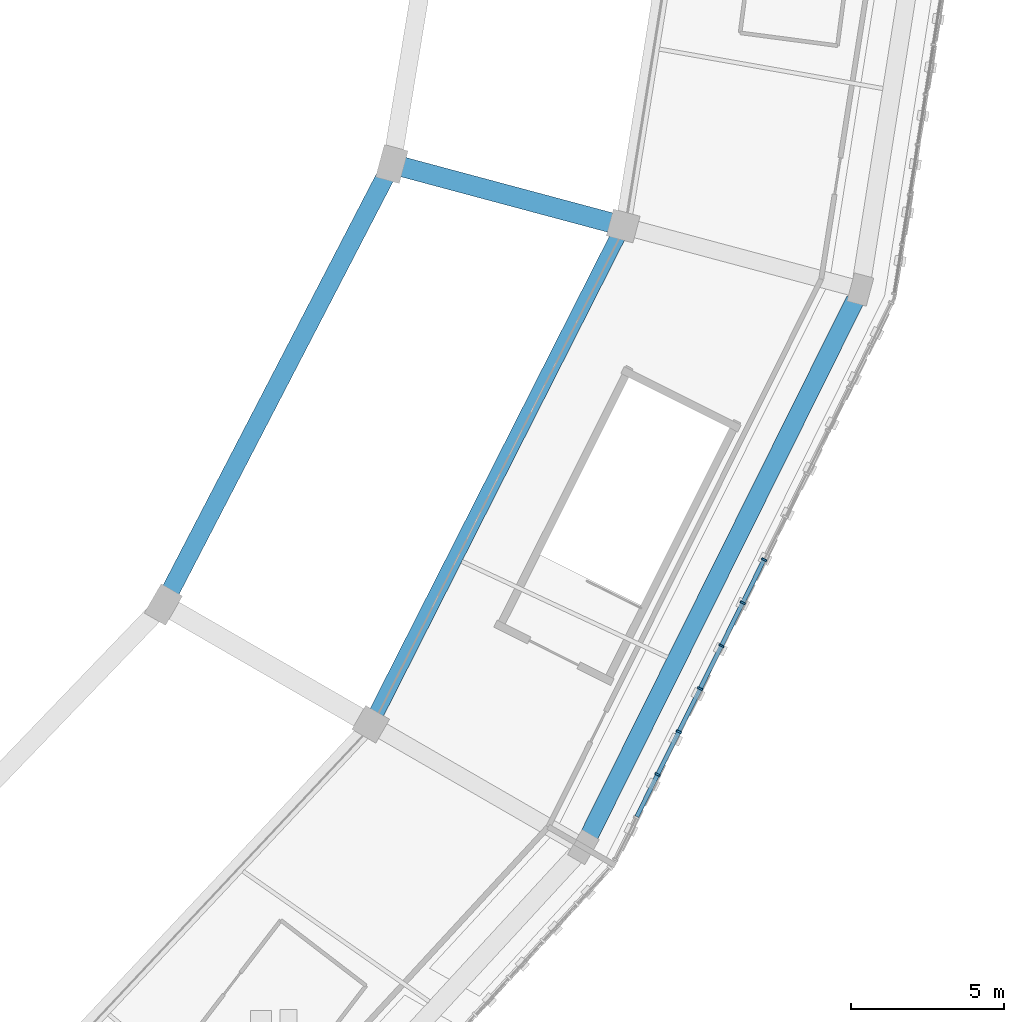
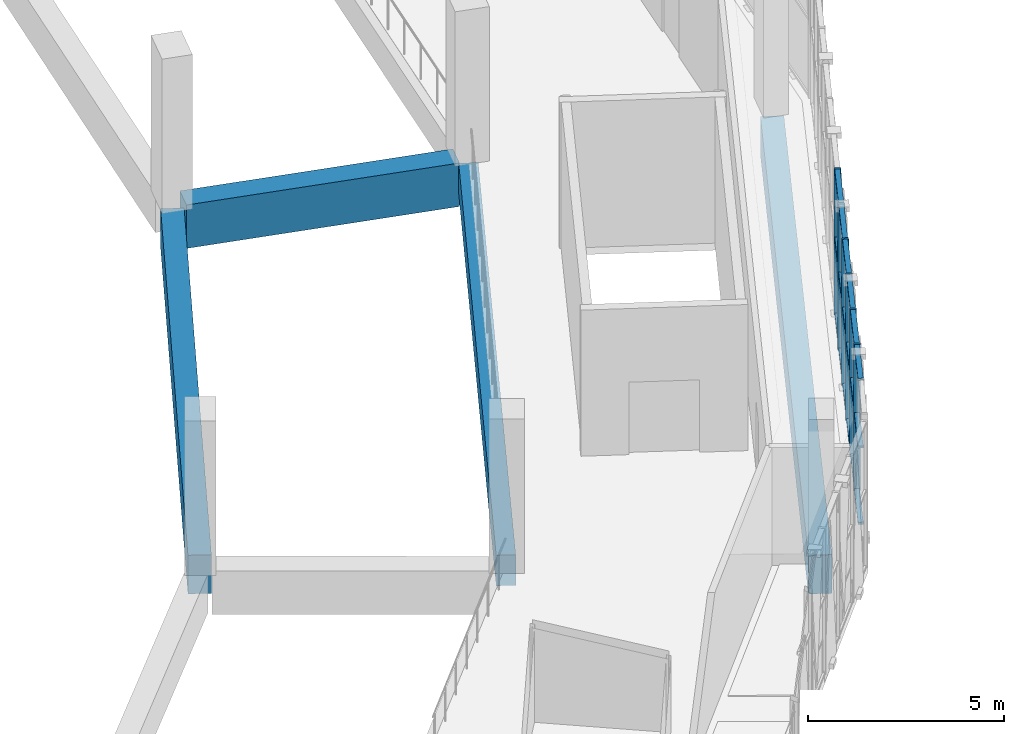
# One storey, part 26 of 108: 24 members, 4 beams, 1 element without a shape of its own.
"""IFC4 building model written with IfcOpenShell, lengths in metres."""

from ifc_helpers import new_model, si_unit, direction, frame, origin, origin_2d, place, context, subcontext, project, spatial, rectangle, extrude, material, material_profile, profile_set, type_object, element, aggregate, save


model = new_model("IFC4")

# Units and contexts
model_context = context("Model", 3, precision=1e-05, world=origin(), true_north=direction((0.0, 1.0)))
body_context = subcontext(model_context, "Body", "Model", "MODEL_VIEW")
ifc_project = project(units=[si_unit("LENGTHUNIT", "METRE"), si_unit("AREAUNIT", "SQUARE_METRE"), si_unit("VOLUMEUNIT", "CUBIC_METRE"), si_unit("PLANEANGLEUNIT", "RADIAN"), si_unit("MASSUNIT", "GRAM", prefix="KILO")], contexts=[model_context])

# Site, building, storey
site_placement = place(None, origin())
site = spatial("IfcSite", under=ifc_project, at=site_placement, CompositionType="ELEMENT")
building_placement = place(site_placement, origin())
building = spatial("IfcBuilding", under=site, at=building_placement, Name="Zevraka Park Crest Stadium", CompositionType="ELEMENT")
storey_placement = place(building_placement, frame((0.0, 0.0, 19.800048828125)))
storey = spatial("IfcBuildingStorey", under=building, at=storey_placement, Name="L04", CompositionType="ELEMENT", Elevation=19.800048828125)

# Beam
ifc_material_1 = material(Name="Concrete C40/50", Category="concrete")
ifc_material_profile_1 = material_profile(ifc_material_1, rectangle(XDim=0.64990234375, YDim=1.35009765625, at=origin_2d()), Name="RC 1350x650")
ifc_profile_set_1 = profile_set([ifc_material_profile_1], Name="Concrete C40/50")
beam_type_1 = type_object("IfcBeamType", Name="BG01", PredefinedType="BEAM", material=ifc_profile_set_1)
beam_1_placement = place(storey_placement, frame((184.2509765625, 76.52197265625, -0.68505859375), z_axis=(0.965945630245, -0.258745124417, 0.0), x_axis=(0.258745124417, 0.965945630245, 0.0)))
element("IfcBeam", 1, at=beam_1_placement, inside=storey, type_object=beam_type_1, Name="Radial Girder BG01 L04-BC-23", PredefinedType="BEAM", context=body_context, shape_type="SweptSolid", body=[
    extrude(rectangle(XDim=0.64990234375, YDim=1.35009765625, at=origin_2d()), origin(), (0.0, 0.0, 1.0), 7.2001953125),
])

# Curtain wall, members
ifc_material_2 = material(Name="Anodised architectural aluminium and laminated safety glass", Category="aluminium")
curtain_wall_type = type_object("IfcCurtainWallType", Name="CW17", PredefinedType="NOTDEFINED", material=ifc_material_2)
curtain_wall_placement = place(storey_placement, origin())
curtain_wall = element("IfcCurtainWall", 2, at=curtain_wall_placement, inside=storey, type_object=curtain_wall_type, Name="Unitised Ring Curtain Wall CW17 L04-22", PredefinedType="NOTDEFINED")
ifc_material_3 = material(Name="Anodised architectural aluminium", Category="aluminium")
ifc_material_profile_2 = material_profile(ifc_material_3, rectangle(XDim=0.179931640625, YDim=0.06494140625, at=origin_2d()), Name="ALU MULLION 180x65")
ifc_profile_set_2 = profile_set([ifc_material_profile_2], Name="Anodised architectural aluminium")
member_type_1 = type_object("IfcMemberType", Name="CM02", PredefinedType="MULLION", material=ifc_profile_set_2)
member_1_placement = place(storey_placement, frame((192.6181640625, 56.7109375, 0.0), z_axis=(0.0, 0.0, 1.0), x_axis=(-0.896046076106, 0.443961067545, 0.0)))
member_1 = element("IfcMember", 3, at=member_1_placement, type_object=member_type_1, Name="CW17 mullion 3", PredefinedType="MULLION", context=body_context, shape_type="SweptSolid", body=[
    extrude(rectangle(XDim=0.179931640625, YDim=0.06494140625, at=origin_2d()), origin(), (0.0, 0.0, 1.0), 4.5400390625),
])
member_2_placement = place(storey_placement, frame((193.311767578125, 58.11083984375, 0.0), z_axis=(0.0, 0.0, 1.0), x_axis=(-0.896046076106, 0.443961067545, 0.0)))
member_2 = element("IfcMember", 4, at=member_2_placement, type_object=member_type_1, Name="CW17 mullion 4", PredefinedType="MULLION", context=body_context, shape_type="SweptSolid", body=[
    extrude(rectangle(XDim=0.179931640625, YDim=0.06494140625, at=origin_2d()), origin(), (0.0, 0.0, 1.0), 4.5400390625),
])
member_3_placement = place(storey_placement, frame((194.00537109375, 59.5107421875, 0.0), z_axis=(0.0, 0.0, 1.0), x_axis=(-0.896046076106, 0.443961067545, 0.0)))
member_3 = element("IfcMember", 5, at=member_3_placement, type_object=member_type_1, Name="CW17 mullion 5", PredefinedType="MULLION", context=body_context, shape_type="SweptSolid", body=[
    extrude(rectangle(XDim=0.179931640625, YDim=0.06494140625, at=origin_2d()), origin(), (0.0, 0.0, 1.0), 4.5400390625),
])
member_4_placement = place(storey_placement, frame((194.698974609375, 60.91064453125, 0.0), z_axis=(0.0, 0.0, 1.0), x_axis=(-0.896046076106, 0.443961067545, 0.0)))
member_4 = element("IfcMember", 6, at=member_4_placement, type_object=member_type_1, Name="CW17 mullion 6", PredefinedType="MULLION", context=body_context, shape_type="SweptSolid", body=[
    extrude(rectangle(XDim=0.179931640625, YDim=0.06494140625, at=origin_2d()), origin(), (0.0, 0.0, 1.0), 4.5400390625),
])
member_5_placement = place(storey_placement, frame((195.392578125, 62.310546875, 0.0), z_axis=(0.0, 0.0, 1.0), x_axis=(-0.896046076106, 0.443961067545, 0.0)))
member_5 = element("IfcMember", 7, at=member_5_placement, type_object=member_type_1, Name="CW17 mullion 7", PredefinedType="MULLION", context=body_context, shape_type="SweptSolid", body=[
    extrude(rectangle(XDim=0.179931640625, YDim=0.06494140625, at=origin_2d()), origin(), (0.0, 0.0, 1.0), 4.5400390625),
])
member_6_placement = place(storey_placement, frame((196.08642578125, 63.71044921875, 0.0), z_axis=(0.0, 0.0, 1.0), x_axis=(-0.896046076106, 0.443961067545, 0.0)))
member_6 = element("IfcMember", 8, at=member_6_placement, type_object=member_type_1, Name="CW17 mullion 8", PredefinedType="MULLION", context=body_context, shape_type="SweptSolid", body=[
    extrude(rectangle(XDim=0.179931640625, YDim=0.06494140625, at=origin_2d()), origin(), (0.0, 0.0, 1.0), 4.5400390625),
])
ifc_material_4 = material(Name="Anodised architectural aluminium", Category="aluminium")
ifc_material_profile_3 = material_profile(ifc_material_4, rectangle(XDim=0.139892578125, YDim=0.06494140625, at=origin_2d()), Name="ALU TRANSOM 140x65")
ifc_profile_set_3 = profile_set([ifc_material_profile_3], Name="Anodised architectural aluminium")
member_type_2 = type_object("IfcMemberType", Name="CT02", PredefinedType="USERDEFINED", material=ifc_profile_set_3)
member_7_placement = place(storey_placement, frame((191.93896484375, 55.340087890625, 0.032470703125), z_axis=(0.444014747446, 0.896019477495, 0.0), x_axis=(-0.896019477495, 0.444014747446, 0.0)))
member_7 = element("IfcMember", 9, at=member_7_placement, type_object=member_type_2, Name="CW17 transom 2.1", ObjectType="TRANSOM", PredefinedType="USERDEFINED", context=body_context, shape_type="SweptSolid", body=[
    extrude(rectangle(XDim=0.139892578125, YDim=0.06494140625, at=origin_2d()), origin(), (0.0, 0.0, 1.0), 1.497314453125),
])
member_8_placement = place(storey_placement, frame((191.93896484375, 55.340087890625, 2.39990234375), z_axis=(0.444014747446, 0.896019477495, 0.0), x_axis=(-0.896019477495, 0.444014747446, 0.0)))
member_8 = element("IfcMember", 10, at=member_8_placement, type_object=member_type_2, Name="CW17 transom 2.2", ObjectType="TRANSOM", PredefinedType="USERDEFINED", context=body_context, shape_type="SweptSolid", body=[
    extrude(rectangle(XDim=0.139892578125, YDim=0.06494140625, at=origin_2d()), origin(), (0.0, 0.0, 1.0), 1.497314453125),
])
member_9_placement = place(storey_placement, frame((191.93896484375, 55.340087890625, 4.507568359375), z_axis=(0.444014747446, 0.896019477495, 0.0), x_axis=(-0.896019477495, 0.444014747446, 0.0)))
member_9 = element("IfcMember", 11, at=member_9_placement, type_object=member_type_2, Name="CW17 transom 2.3", ObjectType="TRANSOM", PredefinedType="USERDEFINED", context=body_context, shape_type="SweptSolid", body=[
    extrude(rectangle(XDim=0.139892578125, YDim=0.06494140625, at=origin_2d()), origin(), (0.0, 0.0, 1.0), 1.497314453125),
])
member_10_placement = place(storey_placement, frame((192.632568359375, 56.739990234375, 0.032470703125), z_axis=(0.444014747446, 0.896019477495, 0.0), x_axis=(-0.896019477495, 0.444014747446, 0.0)))
member_10 = element("IfcMember", 12, at=member_10_placement, type_object=member_type_2, Name="CW17 transom 3.1", ObjectType="TRANSOM", PredefinedType="USERDEFINED", context=body_context, shape_type="SweptSolid", body=[
    extrude(rectangle(XDim=0.139892578125, YDim=0.06494140625, at=origin_2d()), origin(), (0.0, 0.0, 1.0), 1.497314453125),
])
member_11_placement = place(storey_placement, frame((192.632568359375, 56.739990234375, 2.39990234375), z_axis=(0.444014747446, 0.896019477495, 0.0), x_axis=(-0.896019477495, 0.444014747446, 0.0)))
member_11 = element("IfcMember", 13, at=member_11_placement, type_object=member_type_2, Name="CW17 transom 3.2", ObjectType="TRANSOM", PredefinedType="USERDEFINED", context=body_context, shape_type="SweptSolid", body=[
    extrude(rectangle(XDim=0.139892578125, YDim=0.06494140625, at=origin_2d()), origin(), (0.0, 0.0, 1.0), 1.497314453125),
])
member_12_placement = place(storey_placement, frame((192.632568359375, 56.739990234375, 4.507568359375), z_axis=(0.444014747446, 0.896019477495, 0.0), x_axis=(-0.896019477495, 0.444014747446, 0.0)))
member_12 = element("IfcMember", 14, at=member_12_placement, type_object=member_type_2, Name="CW17 transom 3.3", ObjectType="TRANSOM", PredefinedType="USERDEFINED", context=body_context, shape_type="SweptSolid", body=[
    extrude(rectangle(XDim=0.139892578125, YDim=0.06494140625, at=origin_2d()), origin(), (0.0, 0.0, 1.0), 1.497314453125),
])
member_13_placement = place(storey_placement, frame((193.326171875, 58.139892578125, 0.032470703125), z_axis=(0.443949882668, 0.896051617754, 0.0), x_axis=(-0.896051617754, 0.443949882668, 0.0)))
member_13 = element("IfcMember", 15, at=member_13_placement, type_object=member_type_2, Name="CW17 transom 4.1", ObjectType="TRANSOM", PredefinedType="USERDEFINED", context=body_context, shape_type="SweptSolid", body=[
    extrude(rectangle(XDim=0.139892578125, YDim=0.06494140625, at=origin_2d()), origin(), (0.0, 0.0, 1.0), 1.49755859375),
])
member_14_placement = place(storey_placement, frame((193.326171875, 58.139892578125, 2.39990234375), z_axis=(0.443949882668, 0.896051617754, 0.0), x_axis=(-0.896051617754, 0.443949882668, 0.0)))
member_14 = element("IfcMember", 16, at=member_14_placement, type_object=member_type_2, Name="CW17 transom 4.2", ObjectType="TRANSOM", PredefinedType="USERDEFINED", context=body_context, shape_type="SweptSolid", body=[
    extrude(rectangle(XDim=0.139892578125, YDim=0.06494140625, at=origin_2d()), origin(), (0.0, 0.0, 1.0), 1.49755859375),
])
member_15_placement = place(storey_placement, frame((193.326171875, 58.139892578125, 4.507568359375), z_axis=(0.443949882668, 0.896051617754, 0.0), x_axis=(-0.896051617754, 0.443949882668, 0.0)))
member_15 = element("IfcMember", 17, at=member_15_placement, type_object=member_type_2, Name="CW17 transom 4.3", ObjectType="TRANSOM", PredefinedType="USERDEFINED", context=body_context, shape_type="SweptSolid", body=[
    extrude(rectangle(XDim=0.139892578125, YDim=0.06494140625, at=origin_2d()), origin(), (0.0, 0.0, 1.0), 1.49755859375),
])
member_16_placement = place(storey_placement, frame((194.019775390625, 59.539794921875, 0.032470703125), z_axis=(0.443949882668, 0.896051617754, 0.0), x_axis=(-0.896051617754, 0.443949882668, 0.0)))
member_16 = element("IfcMember", 18, at=member_16_placement, type_object=member_type_2, Name="CW17 transom 5.1", ObjectType="TRANSOM", PredefinedType="USERDEFINED", context=body_context, shape_type="SweptSolid", body=[
    extrude(rectangle(XDim=0.139892578125, YDim=0.06494140625, at=origin_2d()), origin(), (0.0, 0.0, 1.0), 1.49755859375),
])
member_17_placement = place(storey_placement, frame((194.019775390625, 59.539794921875, 2.39990234375), z_axis=(0.443949882668, 0.896051617754, 0.0), x_axis=(-0.896051617754, 0.443949882668, 0.0)))
member_17 = element("IfcMember", 19, at=member_17_placement, type_object=member_type_2, Name="CW17 transom 5.2", ObjectType="TRANSOM", PredefinedType="USERDEFINED", context=body_context, shape_type="SweptSolid", body=[
    extrude(rectangle(XDim=0.139892578125, YDim=0.06494140625, at=origin_2d()), origin(), (0.0, 0.0, 1.0), 1.49755859375),
])
member_18_placement = place(storey_placement, frame((194.019775390625, 59.539794921875, 4.507568359375), z_axis=(0.443949882668, 0.896051617754, 0.0), x_axis=(-0.896051617754, 0.443949882668, 0.0)))
member_18 = element("IfcMember", 20, at=member_18_placement, type_object=member_type_2, Name="CW17 transom 5.3", ObjectType="TRANSOM", PredefinedType="USERDEFINED", context=body_context, shape_type="SweptSolid", body=[
    extrude(rectangle(XDim=0.139892578125, YDim=0.06494140625, at=origin_2d()), origin(), (0.0, 0.0, 1.0), 1.49755859375),
])
member_19_placement = place(storey_placement, frame((194.713623046875, 60.939697265625, 0.032470703125), z_axis=(0.443818964624, 0.89611646935, 0.0), x_axis=(-0.89611646935, 0.443818964624, 0.0)))
member_19 = element("IfcMember", 21, at=member_19_placement, type_object=member_type_2, Name="CW17 transom 6.1", ObjectType="TRANSOM", PredefinedType="USERDEFINED", context=body_context, shape_type="SweptSolid", body=[
    extrude(rectangle(XDim=0.139892578125, YDim=0.06494140625, at=origin_2d()), origin(), (0.0, 0.0, 1.0), 1.497314453125),
])
member_20_placement = place(storey_placement, frame((194.713623046875, 60.939697265625, 2.39990234375), z_axis=(0.443818964624, 0.89611646935, 0.0), x_axis=(-0.89611646935, 0.443818964624, 0.0)))
member_20 = element("IfcMember", 22, at=member_20_placement, type_object=member_type_2, Name="CW17 transom 6.2", ObjectType="TRANSOM", PredefinedType="USERDEFINED", context=body_context, shape_type="SweptSolid", body=[
    extrude(rectangle(XDim=0.139892578125, YDim=0.06494140625, at=origin_2d()), origin(), (0.0, 0.0, 1.0), 1.497314453125),
])
member_21_placement = place(storey_placement, frame((194.713623046875, 60.939697265625, 4.507568359375), z_axis=(0.443818964624, 0.89611646935, 0.0), x_axis=(-0.89611646935, 0.443818964624, 0.0)))
member_21 = element("IfcMember", 23, at=member_21_placement, type_object=member_type_2, Name="CW17 transom 6.3", ObjectType="TRANSOM", PredefinedType="USERDEFINED", context=body_context, shape_type="SweptSolid", body=[
    extrude(rectangle(XDim=0.139892578125, YDim=0.06494140625, at=origin_2d()), origin(), (0.0, 0.0, 1.0), 1.497314453125),
])
member_22_placement = place(storey_placement, frame((195.4072265625, 62.339599609375, 0.032470703125), z_axis=(0.443818964624, 0.89611646935, 0.0), x_axis=(-0.89611646935, 0.443818964624, 0.0)))
member_22 = element("IfcMember", 24, at=member_22_placement, type_object=member_type_2, Name="CW17 transom 7.1", ObjectType="TRANSOM", PredefinedType="USERDEFINED", context=body_context, shape_type="SweptSolid", body=[
    extrude(rectangle(XDim=0.139892578125, YDim=0.06494140625, at=origin_2d()), origin(), (0.0, 0.0, 1.0), 1.497314453125),
])
member_23_placement = place(storey_placement, frame((195.4072265625, 62.339599609375, 2.39990234375), z_axis=(0.443818964624, 0.89611646935, 0.0), x_axis=(-0.89611646935, 0.443818964624, 0.0)))
member_23 = element("IfcMember", 25, at=member_23_placement, type_object=member_type_2, Name="CW17 transom 7.2", ObjectType="TRANSOM", PredefinedType="USERDEFINED", context=body_context, shape_type="SweptSolid", body=[
    extrude(rectangle(XDim=0.139892578125, YDim=0.06494140625, at=origin_2d()), origin(), (0.0, 0.0, 1.0), 1.497314453125),
])
member_24_placement = place(storey_placement, frame((195.4072265625, 62.339599609375, 4.507568359375), z_axis=(0.443818964624, 0.89611646935, 0.0), x_axis=(-0.89611646935, 0.443818964624, 0.0)))
member_24 = element("IfcMember", 26, at=member_24_placement, type_object=member_type_2, Name="CW17 transom 7.3", ObjectType="TRANSOM", PredefinedType="USERDEFINED", context=body_context, shape_type="SweptSolid", body=[
    extrude(rectangle(XDim=0.139892578125, YDim=0.06494140625, at=origin_2d()), origin(), (0.0, 0.0, 1.0), 1.497314453125),
])
aggregate(curtain_wall, [member_1, member_2, member_3, member_4, member_5, member_6, member_7, member_8, member_9, member_10, member_11, member_12, member_13, member_14, member_15, member_16, member_17, member_18, member_19, member_20, member_21, member_22, member_23, member_24])

# Beams
ifc_material_5 = material(Name="Concrete C40/50", Category="concrete")
ifc_material_profile_4 = material_profile(ifc_material_5, rectangle(XDim=0.60009765625, YDim=1.199951171875, at=origin_2d()), Name="RC 1200x600")
ifc_profile_set_4 = profile_set([ifc_material_profile_4], Name="Concrete C40/50")
beam_type_2 = type_object("IfcBeamType", Name="RB01", PredefinedType="BEAM", material=ifc_profile_set_4)
beam_2_placement = place(storey_placement, frame((176.694091796875, 62.5869140625, -0.610107421875), z_axis=(0.460343993973, 0.887740619333, 0.0), x_axis=(-0.887740619333, 0.460343993973, 0.0)))
element("IfcBeam", 27, at=beam_2_placement, inside=storey, type_object=beam_type_2, Name="Ring Beam RB01 L04-B-22", PredefinedType="BEAM", context=body_context, shape_type="SweptSolid", body=[
    extrude(rectangle(XDim=0.60009765625, YDim=1.199951171875, at=origin_2d()), origin(), (0.0, 0.0, 1.0), 15.405517578125),
])
beam_3_placement = place(storey_placement, frame((190.37109375, 54.68994140625, -0.610107421875), z_axis=(0.444850507814, 0.895604837916, 0.0), x_axis=(-0.895604837916, 0.444850507814, 0.0)))
element("IfcBeam", 28, at=beam_3_placement, inside=storey, type_object=beam_type_2, Name="Ring Beam RB01 L04-D-22", PredefinedType="BEAM", context=body_context, shape_type="SweptSolid", body=[
    extrude(rectangle(XDim=0.60009765625, YDim=1.199951171875, at=origin_2d()), origin(), (0.0, 0.0, 1.0), 19.5185546875),
])
ifc_material_6 = material(Name="Concrete C40/50", Category="concrete")
ifc_material_profile_5 = material_profile(ifc_material_6, rectangle(XDim=0.5, YDim=0.949951171875, at=origin_2d()), Name="RC 950x500")
ifc_profile_set_5 = profile_set([ifc_material_profile_5], Name="Concrete C40/50")
beam_type_3 = type_object("IfcBeamType", Name="RB02", PredefinedType="BEAM", material=ifc_profile_set_5)
beam_4_placement = place(storey_placement, frame((183.446044921875, 58.68896484375, -0.485107421875), z_axis=(0.451862275442, 0.892087710953, 0.0), x_axis=(-0.892087710953, 0.451862275442, 0.0)))
element("IfcBeam", 29, at=beam_4_placement, inside=storey, type_object=beam_type_3, Name="Ring Beam RB02 L04-C-22", PredefinedType="BEAM", context=body_context, shape_type="SweptSolid", body=[
    extrude(rectangle(XDim=0.5, YDim=0.949951171875, at=origin_2d()), origin(), (0.0, 0.0, 1.0), 17.434326171875),
])

save(model, "model.ifc")
